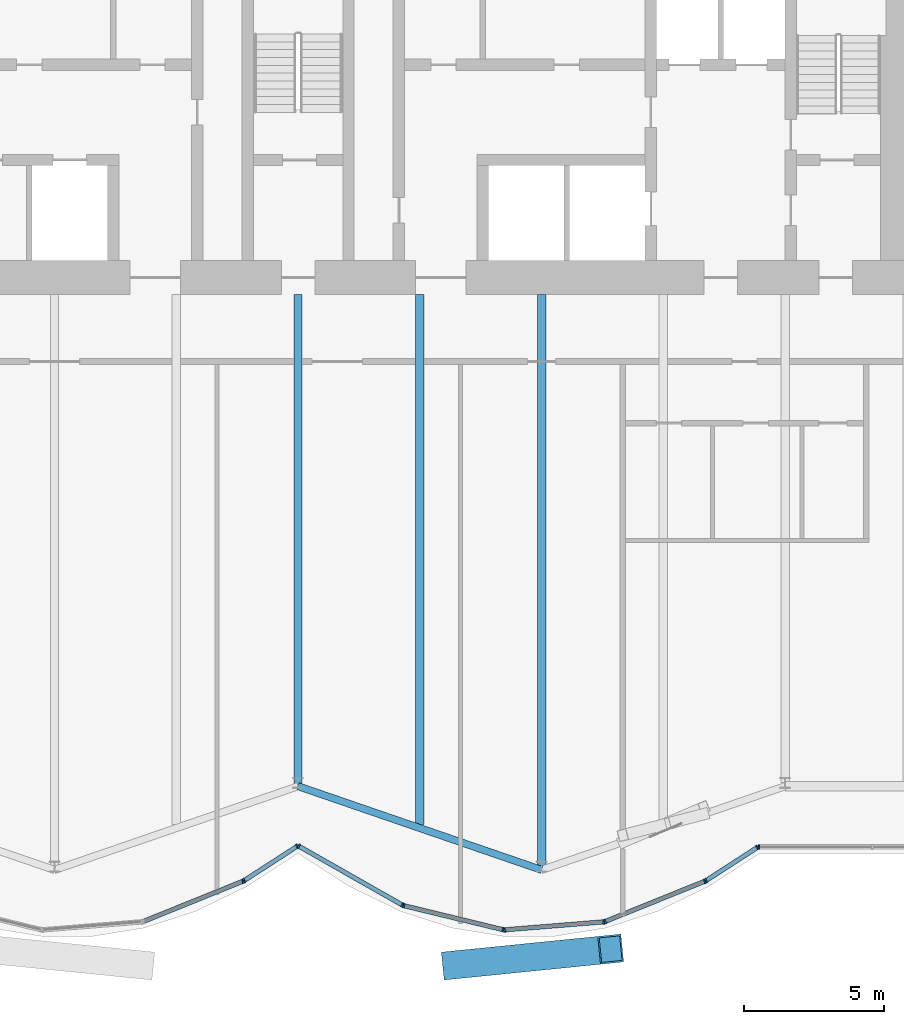
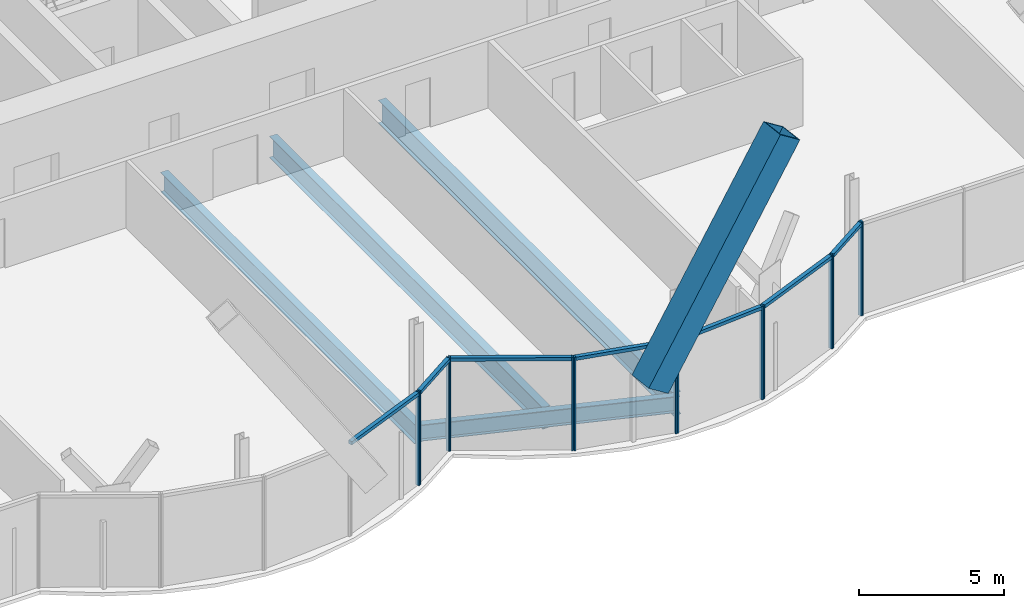
# One storey, part 8 of 21: 22 members, 4 beams, 3 elements without a shape of their own.
"""IFC4 building model written with IfcOpenShell, lengths in metres."""

from ifc_helpers import new_model, si_unit, direction, frame, origin, origin_2d, place, context, subcontext, project, spatial, rectangle, hollow_rectangle, i_section, extrude, material, material_profile, profile_set, type_object, element, aggregate, save


model = new_model("IFC4")

# Units and contexts
model_context = context("Model", 3, precision=1e-05, world=origin(), true_north=direction((0.0, 1.0)))
body_context = subcontext(model_context, "Body", "Model", "MODEL_VIEW")
ifc_project = project(units=[si_unit("LENGTHUNIT", "METRE"), si_unit("AREAUNIT", "SQUARE_METRE"), si_unit("VOLUMEUNIT", "CUBIC_METRE"), si_unit("PLANEANGLEUNIT", "RADIAN"), si_unit("MASSUNIT", "GRAM", prefix="KILO")], contexts=[model_context])

# Site, building, storey
site_placement = place(None, origin())
site = spatial("IfcSite", under=ifc_project, at=site_placement, CompositionType="ELEMENT")
building_placement = place(site_placement, origin())
building = spatial("IfcBuilding", under=site, at=building_placement, Name="Bicima Exchange Tower", CompositionType="ELEMENT")
storey_placement = place(building_placement, frame((0.0, 0.0, 195.0)))
storey = spatial("IfcBuildingStorey", under=building, at=storey_placement, Name="L43", CompositionType="ELEMENT", Elevation=195.0)

# Member
ifc_material_1 = material(Name="Steel ASTM A572 Gr 50", Category="steel")
ifc_material_profile_1 = material_profile(ifc_material_1, hollow_rectangle(XDim=1.0, YDim=1.0, WallThickness=0.06005859375, at=origin_2d()))
ifc_profile_set_1 = profile_set([ifc_material_profile_1], Name="Steel ASTM A572 Gr 50")
member_type_1 = type_object("IfcMemberType", Name="Exo mega brace BOX 1000x1000x60", PredefinedType="BRACE", material=ifc_profile_set_1)
member_1_placement = place(storey_placement, frame((5.583251953125, -36.955078125, 3.416748046875), z_axis=(0.551958776189, 0.055582031551, 0.832016915187), x_axis=(-0.100192889286, 0.994968032118, 0.0)))
element("IfcMember", 1, at=member_1_placement, inside=storey, type_object=member_type_1, Name="Exo mega brace front", PredefinedType="BRACE", context=body_context, shape_type="SweptSolid", body=[
    extrude(hollow_rectangle(XDim=1.0, YDim=1.0, WallThickness=0.06005859375, at=origin_2d()), origin(), (0.0, 0.0, 1.0), 10.11572265625),
])

# Beams
ifc_material_2 = material(Name="Steel ASTM A992 Gr 50", Category="steel")
ifc_material_profile_2 = material_profile(ifc_material_2, i_section(OverallWidth=0.2919921875, OverallDepth=0.835693359375, WebThickness=0.013916015625, FlangeThickness=0.018798828125, at=origin_2d()))
ifc_profile_set_2 = profile_set([ifc_material_profile_2], Name="Steel ASTM A992 Gr 50")
beam_type_1 = type_object("IfcBeamType", Name="Floor beam W33x118", PredefinedType="JOIST", material=ifc_profile_set_2)
beam_1_placement = place(storey_placement, frame((0.0, -13.0, -0.56787109375), z_axis=(0.0, -1.0, 0.0), x_axis=(1.0, 0.0, 0.0)))
element("IfcBeam", 2, at=beam_1_placement, inside=storey, type_object=beam_type_1, Name="Floor beam", PredefinedType="JOIST", context=body_context, shape_type="SweptSolid", body=[
    extrude(i_section(OverallWidth=0.2919921875, OverallDepth=0.835693359375, WebThickness=0.013916015625, FlangeThickness=0.018798828125, at=origin_2d()), origin(), (0.0, 0.0, 1.0), 17.572021484375),
])
ifc_material_profile_3 = material_profile(ifc_material_2, i_section(OverallWidth=0.3046875, OverallDepth=0.904296875, WebThickness=0.01513671875, FlangeThickness=0.02001953125, at=origin_2d()))
ifc_profile_set_3 = profile_set([ifc_material_profile_3], Name="Steel ASTM A992 Gr 50")
beam_type_2 = type_object("IfcBeamType", Name="Floor beam W36x135", PredefinedType="JOIST", material=ifc_profile_set_3)
beam_2_placement = place(storey_placement, frame((4.35009765625, -13.0, -0.60205078125), z_axis=(0.0, -1.0, 0.0), x_axis=(1.0, 0.0, 0.0)))
element("IfcBeam", 3, at=beam_2_placement, inside=storey, type_object=beam_type_2, Name="Floor beam", PredefinedType="JOIST", context=body_context, shape_type="SweptSolid", body=[
    extrude(i_section(OverallWidth=0.3046875, OverallDepth=0.904296875, WebThickness=0.01513671875, FlangeThickness=0.02001953125, at=origin_2d()), origin(), (0.0, 0.0, 1.0), 18.931884765625),
])
ifc_material_profile_4 = material_profile(ifc_material_2, i_section(OverallWidth=0.2998046875, OverallDepth=0.97021484375, WebThickness=0.01611328125, FlangeThickness=0.02099609375, at=origin_2d()))
ifc_profile_set_4 = profile_set([ifc_material_profile_4], Name="Steel ASTM A992 Gr 50")
beam_type_3 = type_object("IfcBeamType", Name="Floor beam W40x149", PredefinedType="JOIST", material=ifc_profile_set_4)
beam_3_placement = place(storey_placement, frame((8.699951171875, -13.0, -0.635009765625), z_axis=(0.0, -1.0, 0.0), x_axis=(1.0, 0.0, 0.0)))
element("IfcBeam", 4, at=beam_3_placement, inside=storey, type_object=beam_type_3, Name="Floor beam", PredefinedType="JOIST", context=body_context, shape_type="SweptSolid", body=[
    extrude(i_section(OverallWidth=0.2998046875, OverallDepth=0.97021484375, WebThickness=0.01611328125, FlangeThickness=0.02099609375, at=origin_2d()), origin(), (0.0, 0.0, 1.0), 20.427490234375),
])
ifc_material_profile_5 = material_profile(ifc_material_2, i_section(OverallWidth=0.256591796875, OverallDepth=0.693359375, WebThickness=0.014404296875, FlangeThickness=0.023681640625, at=origin_2d()))
ifc_profile_set_5 = profile_set([ifc_material_profile_5], Name="Steel ASTM A992 Gr 50")
beam_type_4 = type_object("IfcBeamType", Name="Front girder W27x114", PredefinedType="BEAM", material=ifc_profile_set_5)
beam_4_placement = place(storey_placement, frame((0.0, -30.572021484375, -0.49658203125), z_axis=(0.945674616091, -0.32511462668, 0.0), x_axis=(0.32511462668, 0.945674616091, 0.0)))
element("IfcBeam", 5, at=beam_4_placement, inside=storey, type_object=beam_type_4, Name="Front girder", PredefinedType="BEAM", context=body_context, shape_type="SweptSolid", body=[
    extrude(i_section(OverallWidth=0.256591796875, OverallDepth=0.693359375, WebThickness=0.014404296875, FlangeThickness=0.023681640625, at=origin_2d()), origin(), (0.0, 0.0, 1.0), 9.19970703125),
])

# Curtain wall, members
ifc_material_3 = material(Name="Anodised bronze aluminium", Category="aluminium")
curtain_wall_type = type_object("IfcCurtainWallType", Name="Front glass wall", PredefinedType="NOTDEFINED", material=ifc_material_3)
curtain_wall_1_placement = place(storey_placement, origin())
curtain_wall_1 = element("IfcCurtainWall", 6, at=curtain_wall_1_placement, inside=storey, type_object=curtain_wall_type, Name="Front glass wall L43 run 6", PredefinedType="NOTDEFINED")
ifc_material_profile_6 = material_profile(ifc_material_3, rectangle(XDim=0.159912109375, YDim=0.06005859375, at=origin_2d()))
ifc_profile_set_6 = profile_set([ifc_material_profile_6], Name="Anodised bronze aluminium")
member_type_2 = type_object("IfcMemberType", Name="Front glass wall mullion 60 x 160", PredefinedType="MULLION", material=ifc_profile_set_6)
member_2_placement = place(storey_placement, frame((-1.97412109375, -33.967529296875, 0.0), z_axis=(0.0, 0.0, 1.0), x_axis=(-0.374705304, 0.92714396679, 0.0)))
member_2 = element("IfcMember", 7, at=member_2_placement, type_object=member_type_2, Name="Front glass wall mullion 2", PredefinedType="MULLION", context=body_context, shape_type="SweptSolid", body=[
    extrude(rectangle(XDim=0.159912109375, YDim=0.06005859375, at=origin_2d()), origin(), (0.0, 0.0, 1.0), 3.949951171875),
])
member_3_placement = place(storey_placement, frame((-1.921142578125, -33.940185546875, 0.0), z_axis=(0.0, 0.0, 1.0), x_axis=(-0.542897457326, 0.839798994301, 0.0)))
member_3 = element("IfcMember", 8, at=member_3_placement, type_object=member_type_2, Name="Front glass wall mullion 1", PredefinedType="MULLION", context=body_context, shape_type="SweptSolid", body=[
    extrude(rectangle(XDim=0.159912109375, YDim=0.06005859375, at=origin_2d()), origin(), (0.0, 0.0, 1.0), 3.949951171875),
])
member_4_placement = place(storey_placement, frame((-0.025146484375, -32.71435546875, 0.0), z_axis=(0.0, 0.0, 1.0), x_axis=(-0.542897457326, 0.839798994301, 0.0)))
member_4 = element("IfcMember", 9, at=member_4_placement, type_object=member_type_2, Name="Front glass wall mullion 2", PredefinedType="MULLION", context=body_context, shape_type="SweptSolid", body=[
    extrude(rectangle(XDim=0.159912109375, YDim=0.06005859375, at=origin_2d()), origin(), (0.0, 0.0, 1.0), 3.949951171875),
])

curtain_wall_2_placement = place(storey_placement, origin())
curtain_wall_2 = element("IfcCurtainWall", 10, at=curtain_wall_2_placement, inside=storey, type_object=curtain_wall_type, Name="Front glass wall L43 run 11", PredefinedType="NOTDEFINED")
member_5_placement = place(storey_placement, frame((0.026123046875, -32.712890625, 0.0), z_axis=(0.0, 0.0, 1.0), x_axis=(0.494330311331, 0.869274147378, 0.0)))
member_5 = element("IfcMember", 11, at=member_5_placement, type_object=member_type_2, Name="Front glass wall mullion 1", PredefinedType="MULLION", context=body_context, shape_type="SweptSolid", body=[
    extrude(rectangle(XDim=0.159912109375, YDim=0.06005859375, at=origin_2d()), origin(), (0.0, 0.0, 1.0), 3.949951171875),
])
member_6_placement = place(storey_placement, frame((3.7265625, -34.8173828125, 0.0), z_axis=(0.0, 0.0, 1.0), x_axis=(0.494330311331, 0.869274147378, 0.0)))
member_6 = element("IfcMember", 12, at=member_6_placement, type_object=member_type_2, Name="Front glass wall mullion 2", PredefinedType="MULLION", context=body_context, shape_type="SweptSolid", body=[
    extrude(rectangle(XDim=0.159912109375, YDim=0.06005859375, at=origin_2d()), origin(), (0.0, 0.0, 1.0), 3.949951171875),
])
member_7_placement = place(storey_placement, frame((3.781982421875, -34.83935546875, 0.0), z_axis=(0.0, 0.0, 1.0), x_axis=(0.235681529503, 0.971830343553, 0.0)))
member_7 = element("IfcMember", 13, at=member_7_placement, type_object=member_type_2, Name="Front glass wall mullion 1", PredefinedType="MULLION", context=body_context, shape_type="SweptSolid", body=[
    extrude(rectangle(XDim=0.159912109375, YDim=0.06005859375, at=origin_2d()), origin(), (0.0, 0.0, 1.0), 3.949951171875),
])
member_8_placement = place(storey_placement, frame((7.322509765625, -35.697998046875, 0.0), z_axis=(0.0, 0.0, 1.0), x_axis=(0.235681529503, 0.971830343553, 0.0)))
member_8 = element("IfcMember", 14, at=member_8_placement, type_object=member_type_2, Name="Front glass wall mullion 2", PredefinedType="MULLION", context=body_context, shape_type="SweptSolid", body=[
    extrude(rectangle(XDim=0.159912109375, YDim=0.06005859375, at=origin_2d()), origin(), (0.0, 0.0, 1.0), 3.949951171875),
])
member_9_placement = place(storey_placement, frame((7.381591796875, -35.70263671875, 0.0), z_axis=(0.0, 0.0, 1.0), x_axis=(-0.080588612633, 0.99674744821, 0.0)))
member_9 = element("IfcMember", 15, at=member_9_placement, type_object=member_type_2, Name="Front glass wall mullion 1", PredefinedType="MULLION", context=body_context, shape_type="SweptSolid", body=[
    extrude(rectangle(XDim=0.159912109375, YDim=0.06005859375, at=origin_2d()), origin(), (0.0, 0.0, 1.0), 3.949951171875),
])
member_10_placement = place(storey_placement, frame((10.916015625, -35.416748046875, 0.0), z_axis=(0.0, 0.0, 1.0), x_axis=(-0.080588612633, 0.99674744821, 0.0)))
member_10 = element("IfcMember", 16, at=member_10_placement, type_object=member_type_2, Name="Front glass wall mullion 2", PredefinedType="MULLION", context=body_context, shape_type="SweptSolid", body=[
    extrude(rectangle(XDim=0.159912109375, YDim=0.06005859375, at=origin_2d()), origin(), (0.0, 0.0, 1.0), 3.949951171875),
])
member_11_placement = place(storey_placement, frame((10.973876953125, -35.4033203125, 0.0), z_axis=(0.0, 0.0, 1.0), x_axis=(-0.374705304, 0.92714396679, 0.0)))
member_11 = element("IfcMember", 17, at=member_11_placement, type_object=member_type_2, Name="Front glass wall mullion 1", PredefinedType="MULLION", context=body_context, shape_type="SweptSolid", body=[
    extrude(rectangle(XDim=0.159912109375, YDim=0.06005859375, at=origin_2d()), origin(), (0.0, 0.0, 1.0), 3.949951171875),
])
member_12_placement = place(storey_placement, frame((14.52587890625, -33.967529296875, 0.0), z_axis=(0.0, 0.0, 1.0), x_axis=(-0.374705304, 0.92714396679, 0.0)))
member_12 = element("IfcMember", 18, at=member_12_placement, type_object=member_type_2, Name="Front glass wall mullion 2", PredefinedType="MULLION", context=body_context, shape_type="SweptSolid", body=[
    extrude(rectangle(XDim=0.159912109375, YDim=0.06005859375, at=origin_2d()), origin(), (0.0, 0.0, 1.0), 3.949951171875),
])
member_13_placement = place(storey_placement, frame((14.578857421875, -33.940185546875, 0.0), z_axis=(0.0, 0.0, 1.0), x_axis=(-0.542909183079, 0.839791413941, 0.0)))
member_13 = element("IfcMember", 19, at=member_13_placement, type_object=member_type_2, Name="Front glass wall mullion 1", PredefinedType="MULLION", context=body_context, shape_type="SweptSolid", body=[
    extrude(rectangle(XDim=0.159912109375, YDim=0.06005859375, at=origin_2d()), origin(), (0.0, 0.0, 1.0), 3.949951171875),
])
member_14_placement = place(storey_placement, frame((16.406982421875, -32.75830078125, 0.0), z_axis=(0.0, 0.0, 1.0), x_axis=(-0.542909183079, 0.839791413941, 0.0)))
member_14 = element("IfcMember", 20, at=member_14_placement, type_object=member_type_2, Name="Front glass wall mullion 2", PredefinedType="MULLION", context=body_context, shape_type="SweptSolid", body=[
    extrude(rectangle(XDim=0.159912109375, YDim=0.06005859375, at=origin_2d()), origin(), (0.0, 0.0, 1.0), 3.949951171875),
])

# Curtain wall, member
curtain_wall_3_placement = place(storey_placement, origin())
curtain_wall_3 = element("IfcCurtainWall", 21, at=curtain_wall_3_placement, inside=storey, type_object=curtain_wall_type, Name="Front glass wall L43 run 16", PredefinedType="NOTDEFINED")
member_15_placement = place(storey_placement, frame((16.462158203125, -32.741943359375, 0.0), z_axis=(0.0, 0.0, 1.0), x_axis=(0.0, 1.0, 0.0)))
member_15 = element("IfcMember", 22, at=member_15_placement, type_object=member_type_2, Name="Front glass wall mullion 1", PredefinedType="MULLION", context=body_context, shape_type="SweptSolid", body=[
    extrude(rectangle(XDim=0.159912109375, YDim=0.06005859375, at=origin_2d()), origin(), (0.0, 0.0, 1.0), 3.949951171875),
])
aggregate(curtain_wall_3, [member_15])

# Member
ifc_material_profile_7 = material_profile(ifc_material_3, rectangle(XDim=0.159912109375, YDim=0.139892578125, at=origin_2d()))
ifc_profile_set_7 = profile_set([ifc_material_profile_7], Name="Anodised bronze aluminium")
member_type_3 = type_object("IfcMemberType", Name="Front glass wall transom 140 x 160", PredefinedType="USERDEFINED", material=ifc_profile_set_7)
member_16_placement = place(storey_placement, frame((-5.498291015625, -35.391845703125, 3.8798828125), z_axis=(0.927140215882, 0.374714584842, 0.0), x_axis=(-0.374714584842, 0.927140215882, 0.0)))
member_16 = element("IfcMember", 23, at=member_16_placement, type_object=member_type_3, Name="Front glass wall transom 1.1", ObjectType="TRANSOM", PredefinedType="USERDEFINED", context=body_context, shape_type="SweptSolid", body=[
    extrude(rectangle(XDim=0.159912109375, YDim=0.139892578125, at=origin_2d()), origin(), (0.0, 0.0, 1.0), 3.77099609375),
])

member_17_placement = place(storey_placement, frame((-1.89599609375, -33.923828125, 3.8798828125), z_axis=(0.839811483481, 0.542878137536, 0.0), x_axis=(-0.542878137536, 0.839811483481, 0.0)))
member_17 = element("IfcMember", 24, at=member_17_placement, type_object=member_type_3, Name="Front glass wall transom 1.1", ObjectType="TRANSOM", PredefinedType="USERDEFINED", context=body_context, shape_type="SweptSolid", body=[
    extrude(rectangle(XDim=0.159912109375, YDim=0.139892578125, at=origin_2d()), origin(), (0.0, 0.0, 1.0), 2.19775390625),
])

aggregate(curtain_wall_1, [member_2, member_16, member_3, member_4, member_17])

member_18_placement = place(storey_placement, frame((0.05224609375, -32.727783203125, 3.8798828125), z_axis=(0.869265121745, -0.494346182466, 0.0), x_axis=(0.494346182466, 0.869265121745, 0.0)))
member_18 = element("IfcMember", 25, at=member_18_placement, type_object=member_type_3, Name="Front glass wall transom 1.1", ObjectType="TRANSOM", PredefinedType="USERDEFINED", context=body_context, shape_type="SweptSolid", body=[
    extrude(rectangle(XDim=0.159912109375, YDim=0.139892578125, at=origin_2d()), origin(), (0.0, 0.0, 1.0), 4.19677734375),
])

member_19_placement = place(storey_placement, frame((3.81103515625, -34.84619140625, 3.8798828125), z_axis=(0.971817951661, -0.235732621477, 0.0), x_axis=(0.235732621477, 0.971817951661, 0.0)))
member_19 = element("IfcMember", 26, at=member_19_placement, type_object=member_type_3, Name="Front glass wall transom 1.1", ObjectType="TRANSOM", PredefinedType="USERDEFINED", context=body_context, shape_type="SweptSolid", body=[
    extrude(rectangle(XDim=0.159912109375, YDim=0.139892578125, at=origin_2d()), origin(), (0.0, 0.0, 1.0), 3.58349609375),
])

member_20_placement = place(storey_placement, frame((7.41162109375, -35.7001953125, 3.8798828125), z_axis=(0.9967456465, 0.080610893699, 0.0), x_axis=(-0.080610893699, 0.9967456465, 0.0)))
member_20 = element("IfcMember", 27, at=member_20_placement, type_object=member_type_3, Name="Front glass wall transom 1.1", ObjectType="TRANSOM", PredefinedType="USERDEFINED", context=body_context, shape_type="SweptSolid", body=[
    extrude(rectangle(XDim=0.159912109375, YDim=0.139892578125, at=origin_2d()), origin(), (0.0, 0.0, 1.0), 3.48583984375),
])

member_21_placement = place(storey_placement, frame((11.001708984375, -35.391845703125, 3.8798828125), z_axis=(0.927140215882, 0.374714584842, 0.0), x_axis=(-0.374714584842, 0.927140215882, 0.0)))
member_21 = element("IfcMember", 28, at=member_21_placement, type_object=member_type_3, Name="Front glass wall transom 1.1", ObjectType="TRANSOM", PredefinedType="USERDEFINED", context=body_context, shape_type="SweptSolid", body=[
    extrude(rectangle(XDim=0.159912109375, YDim=0.139892578125, at=origin_2d()), origin(), (0.0, 0.0, 1.0), 3.77099609375),
])

member_22_placement = place(storey_placement, frame((14.60400390625, -33.923828125, 3.8798828125), z_axis=(0.839792890287, 0.542906899407, 0.0), x_axis=(-0.542906899407, 0.839792890287, 0.0)))
member_22 = element("IfcMember", 29, at=member_22_placement, type_object=member_type_3, Name="Front glass wall transom 1.1", ObjectType="TRANSOM", PredefinedType="USERDEFINED", context=body_context, shape_type="SweptSolid", body=[
    extrude(rectangle(XDim=0.159912109375, YDim=0.139892578125, at=origin_2d()), origin(), (0.0, 0.0, 1.0), 2.11669921875),
])

aggregate(curtain_wall_2, [member_5, member_6, member_18, member_7, member_8, member_19, member_9, member_10, member_20, member_11, member_12, member_21, member_13, member_14, member_22])

save(model, "model.ifc")
